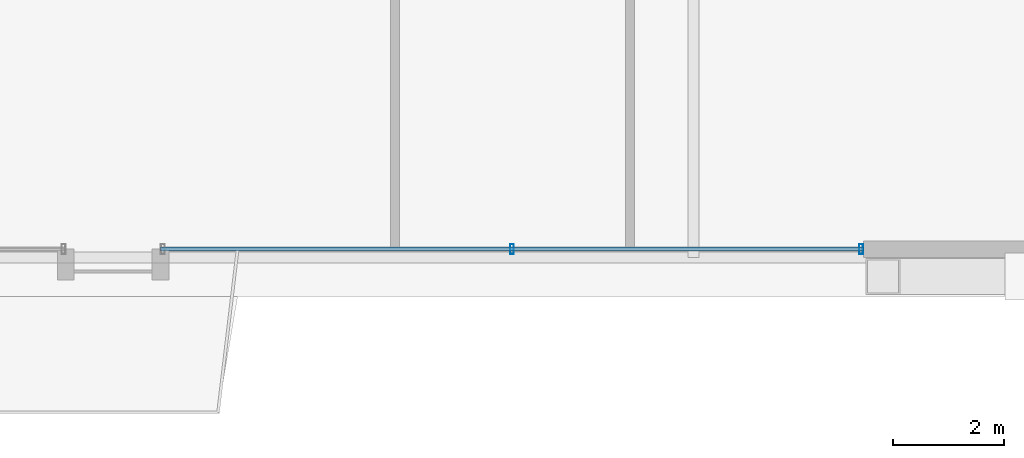
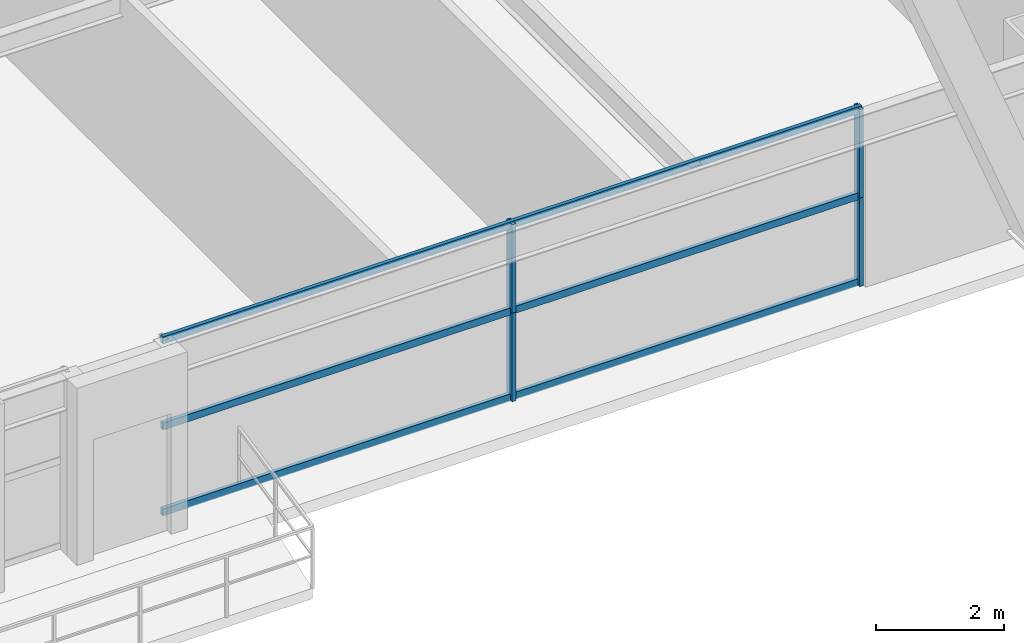
# One storey, part 15 of 42: 7 members, 1 element without a shape of its own.
"""IFC4 building model written with IfcOpenShell, lengths in metres."""

from ifc_helpers import new_model, si_unit, direction, frame, origin, origin_2d, place, context, subcontext, project, spatial, hollow_rectangle, extrude, source, transform, mapped, material, layer, layer_set, material_profile, profile_set, type_object, element, aggregate, save


model = new_model("IFC4")

# Units and contexts
model_context = context("Model", 3, precision=1e-05, world=origin(), true_north=direction((0.0, 1.0)))
body_context = subcontext(model_context, "Body", "Model", "MODEL_VIEW")
ifc_project = project(units=[si_unit("LENGTHUNIT", "METRE"), si_unit("AREAUNIT", "SQUARE_METRE"), si_unit("VOLUMEUNIT", "CUBIC_METRE"), si_unit("PLANEANGLEUNIT", "RADIAN"), si_unit("MASSUNIT", "GRAM", prefix="KILO"), si_unit("THERMODYNAMICTEMPERATUREUNIT", "KELVIN"), si_unit("POWERUNIT", "WATT")], contexts=[model_context])

# Site, building, storey
site_placement = place(None, origin())
site = spatial("IfcSite", under=ifc_project, at=site_placement, CompositionType="ELEMENT")
building_placement = place(site_placement, origin())
building = spatial("IfcBuilding", under=site, at=building_placement, Name="Yuzanri Waterfront Tower", CompositionType="ELEMENT")
storey_placement = place(building_placement, frame((0.0, 0.0, 145.199951171875)))
storey = spatial("IfcBuildingStorey", under=building, at=storey_placement, Name="L38", CompositionType="ELEMENT", Elevation=145.199951171875)

# Curtain wall, members
ifc_material_1 = material(Name="Anodized Architectural Bronze", Category="metal")
ifc_layer = layer(ifc_material_1, 0.159912109375)
ifc_layer_set = layer_set([ifc_layer], Name="Anodized Architectural Bronze")
curtain_wall_type = type_object("IfcCurtainWallType", Name="Anodized Bronze Hotel Upper-Tier Solar-Control Unitized Curtain Wall 7800", PredefinedType="NOTDEFINED", material=ifc_layer_set)
curtain_wall_placement = place(storey_placement, origin())
curtain_wall = element("IfcCurtainWall", 1, at=curtain_wall_placement, inside=storey, type_object=curtain_wall_type, Name="L38 Curtain Wall CW-L38-SR2", PredefinedType="NOTDEFINED")
ifc_material_2 = material(Name="Anodized Architectural Bronze", Category="metal")
ifc_material_profile_1 = material_profile(ifc_material_2, hollow_rectangle(XDim=0.070068359375, YDim=0.179931640625, WallThickness=0.00390625, at=origin_2d()), Name="CWM 70x180")
ifc_profile_set_1 = profile_set([ifc_material_profile_1], Name="Anodized Architectural Bronze")
member_type_1 = type_object("IfcMemberType", Name="Anodized Bronze Standard Curtain-Wall Mullion 70x180", PredefinedType="MULLION", material=ifc_profile_set_1)
shared_shape_1 = source(origin(), body_context, "Body", "SweptSolid", [
    extrude(hollow_rectangle(XDim=0.070068359375, YDim=0.179931640625, WallThickness=0.00390625, at=origin_2d()), origin(), (0.0, 0.0, 1.0), 1.68798828125),
])
member_1_placement = place(storey_placement, frame((46.94140625, 2.35009765625, 0.0), z_axis=(0.0, 0.0, 1.0), x_axis=(1.0, 0.0, 0.0)))
member_1 = element("IfcMember", 2, at=member_1_placement, type_object=member_type_1, Name="CW-L38-SR2 Lower Mullion 01", PredefinedType="MULLION", context=body_context, shape_type="MappedRepresentation", body=[
    mapped(shared_shape_1, transform((0.0, 0.0, 0.0), scale=1.0)),
])
member_2_placement = place(storey_placement, frame((46.94140625, 2.35009765625, 1.692138671875), z_axis=(0.0, 0.0, 1.0), x_axis=(1.0, 0.0, 0.0)))
member_2 = element("IfcMember", 3, at=member_2_placement, type_object=member_type_1, Name="CW-L38-SR2 Upper Mullion 01", PredefinedType="MULLION", context=body_context, shape_type="MappedRepresentation", body=[
    mapped(shared_shape_1, transform((0.0, 0.0, 0.0), scale=1.0)),
])
member_3_placement = place(storey_placement, frame((53.2099609375, 2.35009765625, 0.0), z_axis=(0.0, 0.0, 1.0), x_axis=(1.0, 0.0, 0.0)))
member_3 = element("IfcMember", 4, at=member_3_placement, type_object=member_type_1, Name="CW-L38-SR2 Lower Mullion 02", PredefinedType="MULLION", context=body_context, shape_type="MappedRepresentation", body=[
    mapped(shared_shape_1, transform((0.0, 0.0, 0.0), scale=1.0)),
])
member_4_placement = place(storey_placement, frame((53.2099609375, 2.35009765625, 1.692138671875), z_axis=(0.0, 0.0, 1.0), x_axis=(1.0, 0.0, 0.0)))
member_4 = element("IfcMember", 5, at=member_4_placement, type_object=member_type_1, Name="CW-L38-SR2 Upper Mullion 02", PredefinedType="MULLION", context=body_context, shape_type="MappedRepresentation", body=[
    mapped(shared_shape_1, transform((0.0, 0.0, 0.0), scale=1.0)),
])
ifc_material_3 = material(Name="Anodized Architectural Bronze", Category="metal")
ifc_material_profile_2 = material_profile(ifc_material_3, hollow_rectangle(XDim=0.070068359375, YDim=0.135009765625, WallThickness=0.00341796875, at=origin_2d()), Name="CWT 70x135")
ifc_profile_set_2 = profile_set([ifc_material_profile_2], Name="Anodized Architectural Bronze")
member_type_2 = type_object("IfcMemberType", Name="Anodized Bronze Standard Curtain-Wall Transom 70x135", PredefinedType="USERDEFINED", material=ifc_profile_set_2)
shared_shape_2 = source(origin(), body_context, "Body", "SweptSolid", [
    extrude(hollow_rectangle(XDim=0.070068359375, YDim=0.135009765625, WallThickness=0.00341796875, at=origin_2d()), origin(), (0.0, 0.0, 1.0), 12.616943359375),
])
member_5_placement = place(storey_placement, frame((40.633056640625, 2.35009765625, 0.050048828125), z_axis=(1.0, 0.0, 0.0), x_axis=(0.0, 1.0, 0.0)))
member_5 = element("IfcMember", 6, at=member_5_placement, type_object=member_type_2, Name="CW-L38-SR2 Transom 1", ObjectType="TRANSOM", PredefinedType="USERDEFINED", context=body_context, shape_type="MappedRepresentation", body=[
    mapped(shared_shape_2, transform((0.0, 0.0, 0.0), scale=1.0)),
])
member_6_placement = place(storey_placement, frame((40.633056640625, 2.35009765625, 1.68994140625), z_axis=(1.0, 0.0, 0.0), x_axis=(0.0, 1.0, 0.0)))
member_6 = element("IfcMember", 7, at=member_6_placement, type_object=member_type_2, Name="CW-L38-SR2 Transom 2", ObjectType="TRANSOM", PredefinedType="USERDEFINED", context=body_context, shape_type="MappedRepresentation", body=[
    mapped(shared_shape_2, transform((0.0, 0.0, 0.0), scale=1.0)),
])
member_7_placement = place(storey_placement, frame((40.633056640625, 2.35009765625, 3.330078125), z_axis=(1.0, 0.0, 0.0), x_axis=(0.0, 1.0, 0.0)))
member_7 = element("IfcMember", 8, at=member_7_placement, type_object=member_type_2, Name="CW-L38-SR2 Transom 3", ObjectType="TRANSOM", PredefinedType="USERDEFINED", context=body_context, shape_type="MappedRepresentation", body=[
    mapped(shared_shape_2, transform((0.0, 0.0, 0.0), scale=1.0)),
])
aggregate(curtain_wall, [member_1, member_2, member_3, member_4, member_5, member_6, member_7])

save(model, "model.ifc")
